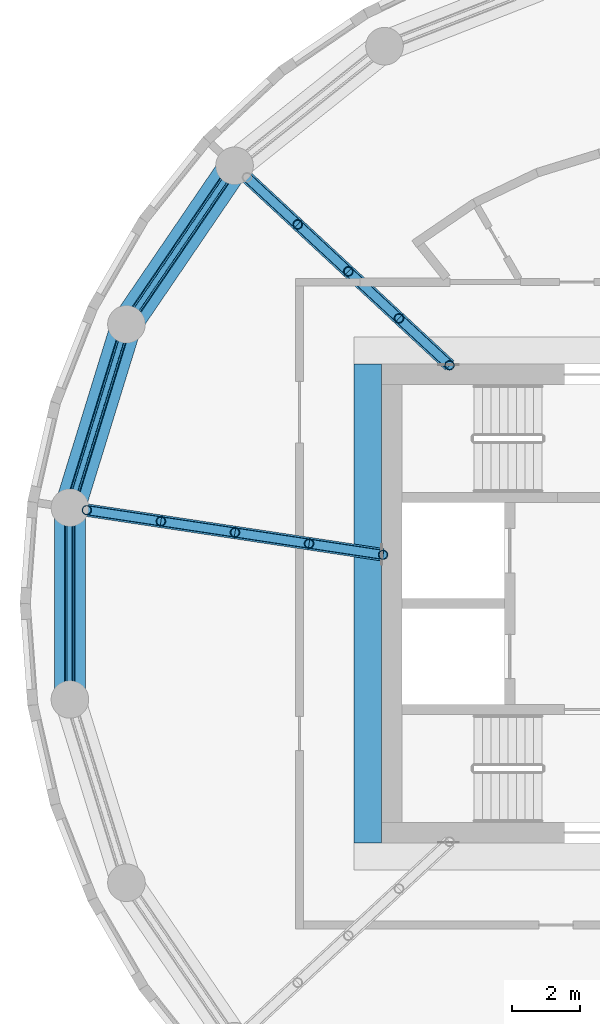
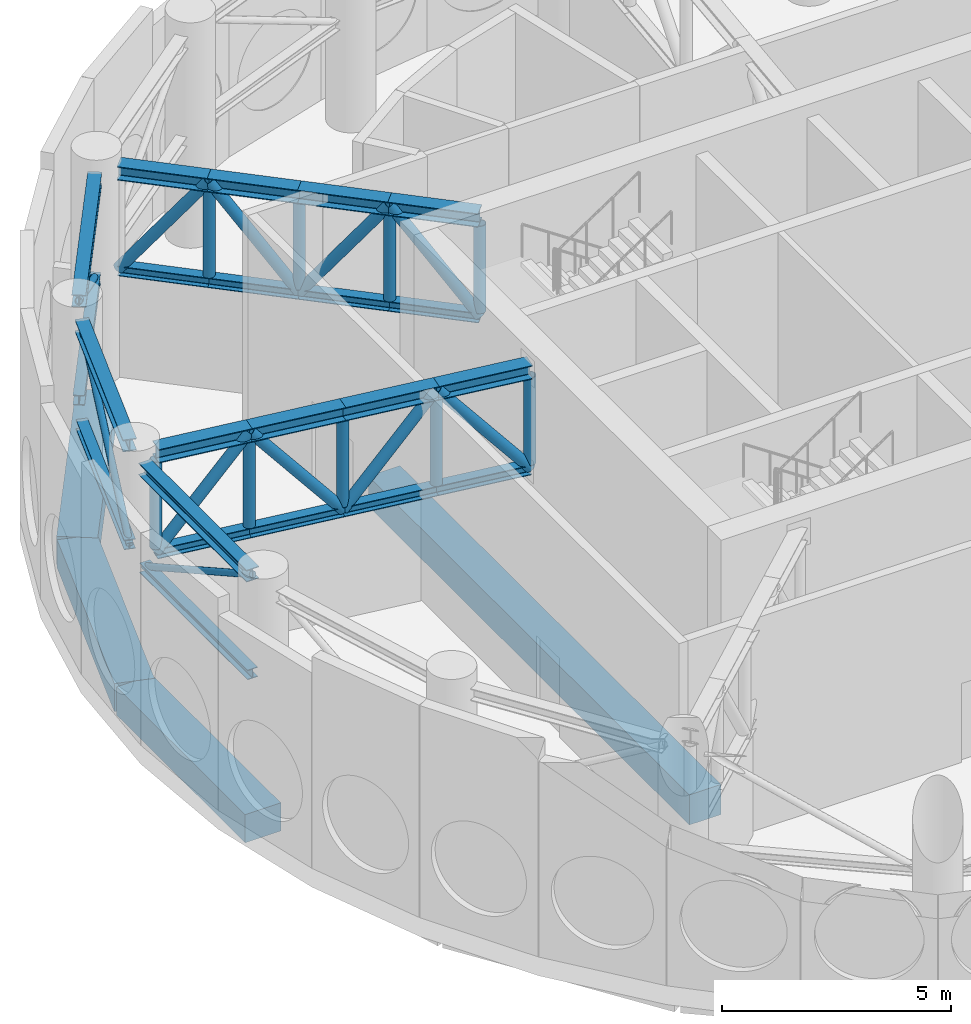
# One storey, part 3 of 13: 42 members, 4 beams.
"""IFC4 building model written with IfcOpenShell, lengths in metres."""

from ifc_helpers import new_model, si_unit, direction, frame, origin, origin_2d, place, context, subcontext, project, spatial, rectangle, hollow_circle, i_section, extrude, material, material_profile, profile_set, type_object, element, save


model = new_model("IFC4")

# Units and contexts
model_context = context("Model", 3, precision=1e-05, world=origin(), true_north=direction((0.0, 1.0)))
body_context = subcontext(model_context, "Body", "Model", "MODEL_VIEW")
ifc_project = project(units=[si_unit("LENGTHUNIT", "METRE"), si_unit("AREAUNIT", "SQUARE_METRE"), si_unit("VOLUMEUNIT", "CUBIC_METRE"), si_unit("PLANEANGLEUNIT", "RADIAN"), si_unit("MASSUNIT", "GRAM", prefix="KILO")], contexts=[model_context])

# Site, building, storey
site_placement = place(None, origin())
site = spatial("IfcSite", under=ifc_project, at=site_placement, CompositionType="ELEMENT")
building_placement = place(site_placement, origin())
building = spatial("IfcBuilding", under=site, at=building_placement, Name="Tracery Tower", CompositionType="ELEMENT")
storey_placement = place(building_placement, frame((0.0, 0.0, 277.800048828125)))
storey = spatial("IfcBuildingStorey", under=building, at=storey_placement, Name="L72 Plant", CompositionType="ELEMENT", Elevation=277.800048828125)

# Members
ifc_material_1 = material(Name="Steel S355", Category="steel")
ifc_material_profile_1 = material_profile(ifc_material_1, i_section(OverallWidth=0.25634765625, OverallDepth=0.26025390625, WebThickness=0.01025390625, FlangeThickness=0.017333984375, FilletRadius=0.0126953125, at=origin_2d()), Name="UKC 254x254x89")
ifc_profile_set_1 = profile_set([ifc_material_profile_1], Name="Steel S355")
member_type_1 = type_object("IfcMemberType", Name="Belt truss bottom chord UKC 254x254x89", PredefinedType="CHORD", material=ifc_profile_set_1)
member_1_placement = place(storey_placement, frame((-14.051025390625, 12.4306640625, 2.830078125), z_axis=(-0.563293404317, -0.826256945903, 0.0), x_axis=(0.826256945903, -0.563293404317, 0.0)))
element("IfcMember", 1, at=member_1_placement, inside=storey, type_object=member_type_1, Name="Belt truss bottom chord 9", PredefinedType="CHORD", context=body_context, shape_type="SweptSolid", body=[
    extrude(i_section(OverallWidth=0.25634765625, OverallDepth=0.26025390625, WebThickness=0.01025390625, FlangeThickness=0.017333984375, FilletRadius=0.0126953125, at=origin_2d()), origin(), (0.0, 0.0, 1.0), 4.710693359375),
])
for number, where, z_axis, x_axis, name in (
    (2, (-17.0908203125, 7.736572265625, 2.830078125), (-0.294799597142, -0.955559102058, 0.0), (0.955559102058, -0.294799597142, 0.0), "Belt truss bottom chord 10"),
    (3, (-18.612060546875, 2.355224609375, 2.830078125), (0.0, -1.0, 0.0), (1.0, 0.0, 0.0), "Belt truss bottom chord 11"),
):
    element("IfcMember", number, at=place(storey_placement, frame(where, z_axis=z_axis, x_axis=x_axis)), inside=storey, type_object=member_type_1, Name=name, PredefinedType="CHORD", context=body_context, shape_type="SweptSolid", body=[
        extrude(i_section(OverallWidth=0.25634765625, OverallDepth=0.26025390625, WebThickness=0.01025390625, FlangeThickness=0.017333984375, FilletRadius=0.0126953125, at=origin_2d()), origin(), (0.0, 0.0, 1.0), 4.71044921875),
    ])
ifc_material_2 = material(Name="Steel S355", Category="steel")
ifc_material_profile_2 = material_profile(ifc_material_2, hollow_circle(Radius=0.084228515625, WallThickness=0.008056640625, at=origin_2d()), Name="CHS 168.3x8")
ifc_profile_set_2 = profile_set([ifc_material_profile_2], Name="Steel S355")
member_type_2 = type_object("IfcMemberType", Name="Belt truss diagonal CHS 168.3x8", PredefinedType="BRACE", material=ifc_profile_set_2)
member_2_placement = place(storey_placement, frame((-14.051025390625, 12.4306640625, 2.830078125), z_axis=(-0.491438359014, -0.720857646311, 0.488725478202), x_axis=(0.826256945903, -0.563293404317, 0.0)))
element("IfcMember", 4, at=member_2_placement, inside=storey, type_object=member_type_2, Name="Belt truss diagonal 9", PredefinedType="BRACE", context=body_context, shape_type="SweptSolid", body=[
    extrude(hollow_circle(Radius=0.084228515625, WallThickness=0.008056640625, at=origin_2d()), origin(), (0.0, 0.0, 1.0), 5.399658203125),
])
member_3_placement = place(storey_placement, frame((-17.0908203125, 7.736572265625, 5.468994140625), z_axis=(-0.257191116701, -0.833655523666, -0.488744511326), x_axis=(0.955559102058, -0.294799597142, 0.0)))
element("IfcMember", 5, at=member_3_placement, inside=storey, type_object=member_type_2, Name="Belt truss diagonal 10", PredefinedType="BRACE", context=body_context, shape_type="SweptSolid", body=[
    extrude(hollow_circle(Radius=0.084228515625, WallThickness=0.008056640625, at=origin_2d()), origin(), (0.0, 0.0, 1.0), 5.3994140625),
])
member_4_placement = place(storey_placement, frame((-18.612060546875, 2.355224609375, 2.830078125), z_axis=(0.0, -0.872421957305, 0.488753443377), x_axis=(1.0, 0.0, 0.0)))
element("IfcMember", 6, at=member_4_placement, inside=storey, type_object=member_type_2, Name="Belt truss diagonal 11", PredefinedType="BRACE", context=body_context, shape_type="SweptSolid", body=[
    extrude(hollow_circle(Radius=0.084228515625, WallThickness=0.008056640625, at=origin_2d()), origin(), (0.0, 0.0, 1.0), 5.399169921875),
])
ifc_material_3 = material(Name="Steel S355", Category="steel")
ifc_material_profile_3 = material_profile(ifc_material_3, i_section(OverallWidth=0.30908203125, OverallDepth=0.320556640625, WebThickness=0.013916015625, FlangeThickness=0.021728515625, FilletRadius=0.01513671875, at=origin_2d()), Name="UKC 305x305x137")
ifc_profile_set_3 = profile_set([ifc_material_profile_3], Name="Steel S355")
member_type_3 = type_object("IfcMemberType", Name="Belt truss top chord UKC 305x305x137", PredefinedType="CHORD", material=ifc_profile_set_3)
member_5_placement = place(storey_placement, frame((-14.051025390625, 12.4306640625, 5.468994140625), z_axis=(-0.563293404317, -0.826256945903, 0.0), x_axis=(0.826256945903, -0.563293404317, 0.0)))
element("IfcMember", 7, at=member_5_placement, inside=storey, type_object=member_type_3, Name="Belt truss top chord 9", PredefinedType="CHORD", context=body_context, shape_type="SweptSolid", body=[
    extrude(i_section(OverallWidth=0.30908203125, OverallDepth=0.320556640625, WebThickness=0.013916015625, FlangeThickness=0.021728515625, FilletRadius=0.01513671875, at=origin_2d()), origin(), (0.0, 0.0, 1.0), 4.710693359375),
])
for number, where, z_axis, x_axis, name in (
    (8, (-17.0908203125, 7.736572265625, 5.468994140625), (-0.294799597142, -0.955559102058, 0.0), (0.955559102058, -0.294799597142, 0.0), "Belt truss top chord 10"),
    (9, (-18.612060546875, 2.355224609375, 5.468994140625), (0.0, -1.0, 0.0), (1.0, 0.0, 0.0), "Belt truss top chord 11"),
):
    element("IfcMember", number, at=place(storey_placement, frame(where, z_axis=z_axis, x_axis=x_axis)), inside=storey, type_object=member_type_3, Name=name, PredefinedType="CHORD", context=body_context, shape_type="SweptSolid", body=[
        extrude(i_section(OverallWidth=0.30908203125, OverallDepth=0.320556640625, WebThickness=0.013916015625, FlangeThickness=0.021728515625, FilletRadius=0.01513671875, at=origin_2d()), origin(), (0.0, 0.0, 1.0), 4.71044921875),
    ])

# Beam
ifc_material_4 = material(Name="Concrete C40/50", Category="concrete")
ifc_material_profile_4 = material_profile(ifc_material_4, rectangle(XDim=0.800048828125, YDim=0.800048828125, at=origin_2d()), Name="RC 800x800")
ifc_profile_set_4 = profile_set([ifc_material_profile_4], Name="Concrete C40/50")
beam_type_1 = type_object("IfcBeamType", Name="Core slab edge beam 800x800", PredefinedType="BEAM", material=ifc_profile_set_4)
beam_1_placement = place(storey_placement, frame((-9.89990234375, -7.0, -0.900146484375), z_axis=(0.0, 1.0, 0.0), x_axis=(-1.0, 0.0, 0.0)))
element("IfcBeam", 10, at=beam_1_placement, inside=storey, type_object=beam_type_1, Name="Core hole edge beam W at L72 Plant", PredefinedType="BEAM", context=body_context, shape_type="SweptSolid", body=[
    extrude(rectangle(XDim=0.800048828125, YDim=0.800048828125, at=origin_2d()), origin(), (0.0, 0.0, 1.0), 14.0),
])

# Members
ifc_material_5 = material(Name="Steel S355", Category="steel")
ifc_material_profile_5 = material_profile(ifc_material_5, i_section(OverallWidth=0.25634765625, OverallDepth=0.26025390625, WebThickness=0.01025390625, FlangeThickness=0.017333984375, FilletRadius=0.0126953125, at=origin_2d()), Name="UKC 254x254x89")
ifc_profile_set_5 = profile_set([ifc_material_profile_5], Name="Steel S355")
member_type_4 = type_object("IfcMemberType", Name="Outrigger bottom chord UKC 254x254x89", PredefinedType="CHORD", material=ifc_profile_set_5)
member_6_placement = place(storey_placement, frame((-7.507568359375, 6.966064453125, 2.830078125), z_axis=(-0.733021596155, 0.680205365732, 0.0), x_axis=(-0.680205365732, -0.733021596155, 0.0)))
element("IfcMember", 11, at=member_6_placement, inside=storey, type_object=member_type_4, Name="Outrigger 4 bottom chord 1", PredefinedType="CHORD", context=body_context, shape_type="SweptSolid", body=[
    extrude(i_section(OverallWidth=0.25634765625, OverallDepth=0.26025390625, WebThickness=0.01025390625, FlangeThickness=0.017333984375, FilletRadius=0.0126953125, at=origin_2d()), origin(), (0.0, 0.0, 1.0), 2.02001953125),
])
for number, where, z_axis, x_axis, name in (
    (12, (-8.98828125, 8.340087890625, 2.830078125), (-0.733077508584, 0.680145106876, 0.0), (-0.680145106876, -0.733077508584, 0.0), "Outrigger 4 bottom chord 2"),
    (13, (-10.46923828125, 9.714111328125, 2.830078125), (-0.733077508584, 0.680145106876, 0.0), (-0.680145106876, -0.733077508584, 0.0), "Outrigger 4 bottom chord 3"),
    (14, (-11.9501953125, 11.088134765625, 2.830078125), (-0.733077508584, 0.680145106876, 0.0), (-0.680145106876, -0.733077508584, 0.0), "Outrigger 4 bottom chord 4"),
):
    element("IfcMember", number, at=place(storey_placement, frame(where, z_axis=z_axis, x_axis=x_axis)), inside=storey, type_object=member_type_4, Name=name, PredefinedType="CHORD", context=body_context, shape_type="SweptSolid", body=[
        extrude(i_section(OverallWidth=0.25634765625, OverallDepth=0.26025390625, WebThickness=0.01025390625, FlangeThickness=0.017333984375, FilletRadius=0.0126953125, at=origin_2d()), origin(), (0.0, 0.0, 1.0), 2.020263671875),
    ])
member_7_placement = place(storey_placement, frame((-9.45068359375, 1.42431640625, 2.830078125), z_axis=(-0.988823275518, 0.149092353239, 0.0), x_axis=(-0.149092353239, -0.988823275518, 0.0)))
element("IfcMember", 15, at=member_7_placement, inside=storey, type_object=member_type_4, Name="Outrigger 5 bottom chord 1", PredefinedType="CHORD", context=body_context, shape_type="SweptSolid", body=[
    extrude(i_section(OverallWidth=0.25634765625, OverallDepth=0.26025390625, WebThickness=0.01025390625, FlangeThickness=0.017333984375, FilletRadius=0.0126953125, at=origin_2d()), origin(), (0.0, 0.0, 1.0), 2.19091796875),
])
member_8_placement = place(storey_placement, frame((-11.6171875, 1.7509765625, 2.830078125), z_axis=(-0.988828227698, 0.149059505257, 0.0), x_axis=(-0.149059505257, -0.988828227698, 0.0)))
element("IfcMember", 16, at=member_8_placement, inside=storey, type_object=member_type_4, Name="Outrigger 5 bottom chord 2", PredefinedType="CHORD", context=body_context, shape_type="SweptSolid", body=[
    extrude(i_section(OverallWidth=0.25634765625, OverallDepth=0.26025390625, WebThickness=0.01025390625, FlangeThickness=0.017333984375, FilletRadius=0.0126953125, at=origin_2d()), origin(), (0.0, 0.0, 1.0), 2.19140625),
])
member_9_placement = place(storey_placement, frame((-13.7841796875, 2.07763671875, 2.830078125), z_axis=(-0.988823275518, 0.149092353239, 0.0), x_axis=(-0.149092353239, -0.988823275518, 0.0)))
element("IfcMember", 17, at=member_9_placement, inside=storey, type_object=member_type_4, Name="Outrigger 5 bottom chord 3", PredefinedType="CHORD", context=body_context, shape_type="SweptSolid", body=[
    extrude(i_section(OverallWidth=0.25634765625, OverallDepth=0.26025390625, WebThickness=0.01025390625, FlangeThickness=0.017333984375, FilletRadius=0.0126953125, at=origin_2d()), origin(), (0.0, 0.0, 1.0), 2.19091796875),
])
member_10_placement = place(storey_placement, frame((-15.95068359375, 2.404296875, 2.830078125), z_axis=(-0.988844642384, 0.148950573104, 0.0), x_axis=(-0.148950573104, -0.988844642384, 0.0)))
element("IfcMember", 18, at=member_10_placement, inside=storey, type_object=member_type_4, Name="Outrigger 5 bottom chord 4", PredefinedType="CHORD", context=body_context, shape_type="SweptSolid", body=[
    extrude(i_section(OverallWidth=0.25634765625, OverallDepth=0.26025390625, WebThickness=0.01025390625, FlangeThickness=0.017333984375, FilletRadius=0.0126953125, at=origin_2d()), origin(), (0.0, 0.0, 1.0), 2.19140625),
])
ifc_material_6 = material(Name="Steel S355", Category="steel")
ifc_material_profile_6 = material_profile(ifc_material_6, hollow_circle(Radius=0.136474609375, WallThickness=0.012451171875, at=origin_2d()), Name="CHS 273x12.5")
ifc_profile_set_6 = profile_set([ifc_material_profile_6], Name="Steel S355")
member_type_5 = type_object("IfcMemberType", Name="Outrigger diagonal CHS 273x12.5", PredefinedType="BRACE", material=ifc_profile_set_6)
member_11_placement = place(storey_placement, frame((-7.507568359375, 6.966064453125, 2.830078125), z_axis=(-0.445554868311, 0.413451409539, 0.794064727383), x_axis=(-0.680205365732, -0.733021596155, 0.0)))
element("IfcMember", 19, at=member_11_placement, inside=storey, type_object=member_type_5, Name="Outrigger 4 diagonal 1", PredefinedType="BRACE", context=body_context, shape_type="SweptSolid", body=[
    extrude(hollow_circle(Radius=0.136474609375, WallThickness=0.012451171875, at=origin_2d()), origin(), (0.0, 0.0, 1.0), 3.3232421875),
])
for number, where, z_axis, x_axis, name in (
    (20, (-8.98828125, 8.340087890625, 5.468994140625), (-0.445613744843, 0.413437876027, -0.794038735247), (-0.680145106876, -0.733077508584, 0.0), "Outrigger 4 diagonal 2"),
    (21, (-10.46923828125, 9.714111328125, 2.830078125), (-0.445613744843, 0.413437876027, 0.794038735247), (-0.680145106876, -0.733077508584, 0.0), "Outrigger 4 diagonal 3"),
    (22, (-11.9501953125, 11.088134765625, 5.468994140625), (-0.445613744843, 0.413437876027, -0.794038735247), (-0.680145106876, -0.733077508584, 0.0), "Outrigger 4 diagonal 4"),
):
    element("IfcMember", number, at=place(storey_placement, frame(where, z_axis=z_axis, x_axis=x_axis)), inside=storey, type_object=member_type_5, Name=name, PredefinedType="BRACE", context=body_context, shape_type="SweptSolid", body=[
        extrude(hollow_circle(Radius=0.136474609375, WallThickness=0.012451171875, at=origin_2d()), origin(), (0.0, 0.0, 1.0), 3.323486328125),
    ])
member_12_placement = place(storey_placement, frame((-9.45068359375, 1.42431640625, 2.830078125), z_axis=(-0.631649260765, 0.095238529514, 0.769382111743), x_axis=(-0.149092353239, -0.988823275518, 0.0)))
element("IfcMember", 23, at=member_12_placement, inside=storey, type_object=member_type_5, Name="Outrigger 5 diagonal 1", PredefinedType="BRACE", context=body_context, shape_type="SweptSolid", body=[
    extrude(hollow_circle(Radius=0.136474609375, WallThickness=0.012451171875, at=origin_2d()), origin(), (0.0, 0.0, 1.0), 3.429931640625),
])
member_13_placement = place(storey_placement, frame((-11.6171875, 1.7509765625, 5.468994140625), z_axis=(-0.631734810041, 0.095229965732, -0.769312929443), x_axis=(-0.149059505257, -0.988828227698, 0.0)))
element("IfcMember", 24, at=member_13_placement, inside=storey, type_object=member_type_5, Name="Outrigger 5 diagonal 2", PredefinedType="BRACE", context=body_context, shape_type="SweptSolid", body=[
    extrude(hollow_circle(Radius=0.136474609375, WallThickness=0.012451171875, at=origin_2d()), origin(), (0.0, 0.0, 1.0), 3.43017578125),
])
member_14_placement = place(storey_placement, frame((-13.7841796875, 2.07763671875, 2.830078125), z_axis=(-0.631649260765, 0.095238529514, 0.769382111743), x_axis=(-0.149092353239, -0.988823275518, 0.0)))
element("IfcMember", 25, at=member_14_placement, inside=storey, type_object=member_type_5, Name="Outrigger 5 diagonal 3", PredefinedType="BRACE", context=body_context, shape_type="SweptSolid", body=[
    extrude(hollow_circle(Radius=0.136474609375, WallThickness=0.012451171875, at=origin_2d()), origin(), (0.0, 0.0, 1.0), 3.429931640625),
])
member_15_placement = place(storey_placement, frame((-15.95068359375, 2.404296875, 5.468994140625), z_axis=(-0.631739090281, 0.095159437101, -0.769318141826), x_axis=(-0.148950573104, -0.988844642384, 0.0)))
element("IfcMember", 26, at=member_15_placement, inside=storey, type_object=member_type_5, Name="Outrigger 5 diagonal 4", PredefinedType="BRACE", context=body_context, shape_type="SweptSolid", body=[
    extrude(hollow_circle(Radius=0.136474609375, WallThickness=0.012451171875, at=origin_2d()), origin(), (0.0, 0.0, 1.0), 3.43017578125),
])
ifc_material_7 = material(Name="Steel S355", Category="steel")
ifc_material_profile_7 = material_profile(ifc_material_7, hollow_circle(Radius=0.136474609375, WallThickness=0.012451171875, at=origin_2d()), Name="CHS 273x12.5")
ifc_profile_set_7 = profile_set([ifc_material_profile_7], Name="Steel S355")
member_type_6 = type_object("IfcMemberType", Name="Outrigger post CHS 273x12.5", PredefinedType="POST", material=ifc_profile_set_7)
for number, where, z_axis, x_axis, name in (
    (27, (-7.507568359375, 6.966064453125, 2.960205078125), (0.0, 0.0, 1.0), (1.0, 0.0, 0.0), "Outrigger 4 post 1"),
    (28, (-8.98828125, 8.340087890625, 2.960205078125), (0.0, 0.0, 1.0), (1.0, 0.0, 0.0), "Outrigger 4 post 2"),
    (29, (-10.46923828125, 9.714111328125, 2.960205078125), (0.0, 0.0, 1.0), (1.0, 0.0, 0.0), "Outrigger 4 post 3"),
    (30, (-11.9501953125, 11.088134765625, 2.960205078125), (0.0, 0.0, 1.0), (1.0, 0.0, 0.0), "Outrigger 4 post 4"),
    (31, (-9.45068359375, 1.42431640625, 2.960205078125), (0.0, 0.0, 1.0), (1.0, 0.0, 0.0), "Outrigger 5 post 1"),
    (32, (-11.6171875, 1.7509765625, 2.960205078125), (0.0, 0.0, 1.0), (1.0, 0.0, 0.0), "Outrigger 5 post 2"),
    (33, (-13.7841796875, 2.07763671875, 2.960205078125), (0.0, 0.0, 1.0), (1.0, 0.0, 0.0), "Outrigger 5 post 3"),
    (34, (-15.95068359375, 2.404296875, 2.960205078125), (0.0, 0.0, 1.0), (1.0, 0.0, 0.0), "Outrigger 5 post 4"),
    (35, (-18.11767578125, 2.730712890625, 2.960205078125), (0.0, 0.0, 1.0), (1.0, 0.0, 0.0), "Outrigger 5 post 5"),
):
    element("IfcMember", number, at=place(storey_placement, frame(where, z_axis=z_axis, x_axis=x_axis)), inside=storey, type_object=member_type_6, Name=name, PredefinedType="POST", context=body_context, shape_type="SweptSolid", body=[
        extrude(hollow_circle(Radius=0.136474609375, WallThickness=0.012451171875, at=origin_2d()), origin(), (0.0, 0.0, 1.0), 2.32763671875),
    ])
ifc_material_8 = material(Name="Steel S355", Category="steel")
ifc_material_profile_8 = material_profile(ifc_material_8, i_section(OverallWidth=0.37060546875, OverallDepth=0.362060546875, WebThickness=0.01220703125, FlangeThickness=0.020751953125, FilletRadius=0.01513671875, at=origin_2d()), Name="UKC 356x368x153")
ifc_profile_set_8 = profile_set([ifc_material_profile_8], Name="Steel S355")
member_type_7 = type_object("IfcMemberType", Name="Outrigger top chord UKC 356x368x153", PredefinedType="CHORD", material=ifc_profile_set_8)
member_16_placement = place(storey_placement, frame((-7.507568359375, 6.966064453125, 5.468994140625), z_axis=(-0.733021596155, 0.680205365732, 0.0), x_axis=(-0.680205365732, -0.733021596155, 0.0)))
element("IfcMember", 36, at=member_16_placement, inside=storey, type_object=member_type_7, Name="Outrigger 4 top chord 1", PredefinedType="CHORD", context=body_context, shape_type="SweptSolid", body=[
    extrude(i_section(OverallWidth=0.37060546875, OverallDepth=0.362060546875, WebThickness=0.01220703125, FlangeThickness=0.020751953125, FilletRadius=0.01513671875, at=origin_2d()), origin(), (0.0, 0.0, 1.0), 2.02001953125),
])
for number, where, z_axis, x_axis, name in (
    (37, (-8.98828125, 8.340087890625, 5.468994140625), (-0.733077508584, 0.680145106876, 0.0), (-0.680145106876, -0.733077508584, 0.0), "Outrigger 4 top chord 2"),
    (38, (-10.46923828125, 9.714111328125, 5.468994140625), (-0.733077508584, 0.680145106876, 0.0), (-0.680145106876, -0.733077508584, 0.0), "Outrigger 4 top chord 3"),
    (39, (-11.9501953125, 11.088134765625, 5.468994140625), (-0.733077508584, 0.680145106876, 0.0), (-0.680145106876, -0.733077508584, 0.0), "Outrigger 4 top chord 4"),
):
    element("IfcMember", number, at=place(storey_placement, frame(where, z_axis=z_axis, x_axis=x_axis)), inside=storey, type_object=member_type_7, Name=name, PredefinedType="CHORD", context=body_context, shape_type="SweptSolid", body=[
        extrude(i_section(OverallWidth=0.37060546875, OverallDepth=0.362060546875, WebThickness=0.01220703125, FlangeThickness=0.020751953125, FilletRadius=0.01513671875, at=origin_2d()), origin(), (0.0, 0.0, 1.0), 2.020263671875),
    ])
member_17_placement = place(storey_placement, frame((-9.45068359375, 1.42431640625, 5.468994140625), z_axis=(-0.988823275518, 0.149092353239, 0.0), x_axis=(-0.149092353239, -0.988823275518, 0.0)))
element("IfcMember", 40, at=member_17_placement, inside=storey, type_object=member_type_7, Name="Outrigger 5 top chord 1", PredefinedType="CHORD", context=body_context, shape_type="SweptSolid", body=[
    extrude(i_section(OverallWidth=0.37060546875, OverallDepth=0.362060546875, WebThickness=0.01220703125, FlangeThickness=0.020751953125, FilletRadius=0.01513671875, at=origin_2d()), origin(), (0.0, 0.0, 1.0), 2.19091796875),
])
member_18_placement = place(storey_placement, frame((-11.6171875, 1.7509765625, 5.468994140625), z_axis=(-0.988828227698, 0.149059505257, 0.0), x_axis=(-0.149059505257, -0.988828227698, 0.0)))
element("IfcMember", 41, at=member_18_placement, inside=storey, type_object=member_type_7, Name="Outrigger 5 top chord 2", PredefinedType="CHORD", context=body_context, shape_type="SweptSolid", body=[
    extrude(i_section(OverallWidth=0.37060546875, OverallDepth=0.362060546875, WebThickness=0.01220703125, FlangeThickness=0.020751953125, FilletRadius=0.01513671875, at=origin_2d()), origin(), (0.0, 0.0, 1.0), 2.19140625),
])
member_19_placement = place(storey_placement, frame((-13.7841796875, 2.07763671875, 5.468994140625), z_axis=(-0.988823275518, 0.149092353239, 0.0), x_axis=(-0.149092353239, -0.988823275518, 0.0)))
element("IfcMember", 42, at=member_19_placement, inside=storey, type_object=member_type_7, Name="Outrigger 5 top chord 3", PredefinedType="CHORD", context=body_context, shape_type="SweptSolid", body=[
    extrude(i_section(OverallWidth=0.37060546875, OverallDepth=0.362060546875, WebThickness=0.01220703125, FlangeThickness=0.020751953125, FilletRadius=0.01513671875, at=origin_2d()), origin(), (0.0, 0.0, 1.0), 2.19091796875),
])
member_20_placement = place(storey_placement, frame((-15.95068359375, 2.404296875, 5.468994140625), z_axis=(-0.988844642384, 0.148950573104, 0.0), x_axis=(-0.148950573104, -0.988844642384, 0.0)))
element("IfcMember", 43, at=member_20_placement, inside=storey, type_object=member_type_7, Name="Outrigger 5 top chord 4", PredefinedType="CHORD", context=body_context, shape_type="SweptSolid", body=[
    extrude(i_section(OverallWidth=0.37060546875, OverallDepth=0.362060546875, WebThickness=0.01220703125, FlangeThickness=0.020751953125, FilletRadius=0.01513671875, at=origin_2d()), origin(), (0.0, 0.0, 1.0), 2.19140625),
])

# Beams
ifc_material_9 = material(Name="Concrete C40/50", Category="concrete")
ifc_material_profile_9 = material_profile(ifc_material_9, rectangle(XDim=0.89990234375, YDim=0.75, at=origin_2d()), Name="RC 900x750")
ifc_profile_set_9 = profile_set([ifc_material_profile_9], Name="Concrete C40/50")
beam_type_2 = type_object("IfcBeamType", Name="Plant level band beam 900x750", PredefinedType="BEAM", material=ifc_profile_set_9)
beam_2_placement = place(storey_placement, frame((-13.797607421875, 12.802490234375, -0.875), z_axis=(-0.563305770578, -0.826248515178, 0.0), x_axis=(0.826248515178, -0.563305770578, 0.0)))
element("IfcBeam", 44, at=beam_2_placement, inside=storey, type_object=beam_type_2, Name="Perimeter beam 2.08 under L72 Plant", PredefinedType="BEAM", context=body_context, shape_type="SweptSolid", body=[
    extrude(rectangle(XDim=0.89990234375, YDim=0.75, at=origin_2d()), origin(), (0.0, 0.0, 1.0), 5.61083984375),
])
beam_3_placement = place(storey_placement, frame((-16.958251953125, 8.16650390625, -0.875), z_axis=(-0.294776851839, -0.955566118916, 0.0), x_axis=(0.955566118916, -0.294776851839, 0.0)))
element("IfcBeam", 45, at=beam_3_placement, inside=storey, type_object=beam_type_2, Name="Perimeter beam 2.09 under L72 Plant", PredefinedType="BEAM", context=body_context, shape_type="SweptSolid", body=[
    extrude(rectangle(XDim=0.89990234375, YDim=0.75, at=origin_2d()), origin(), (0.0, 0.0, 1.0), 5.6103515625),
])
beam_4_placement = place(storey_placement, frame((-18.612060546875, 2.805419921875, -0.875), z_axis=(0.0, -1.0, 0.0), x_axis=(1.0, 0.0, 0.0)))
element("IfcBeam", 46, at=beam_4_placement, inside=storey, type_object=beam_type_2, Name="Perimeter beam 2.10 under L72 Plant", PredefinedType="BEAM", context=body_context, shape_type="SweptSolid", body=[
    extrude(rectangle(XDim=0.89990234375, YDim=0.75, at=origin_2d()), origin(), (0.0, 0.0, 1.0), 5.61083984375),
])

save(model, "model.ifc")
